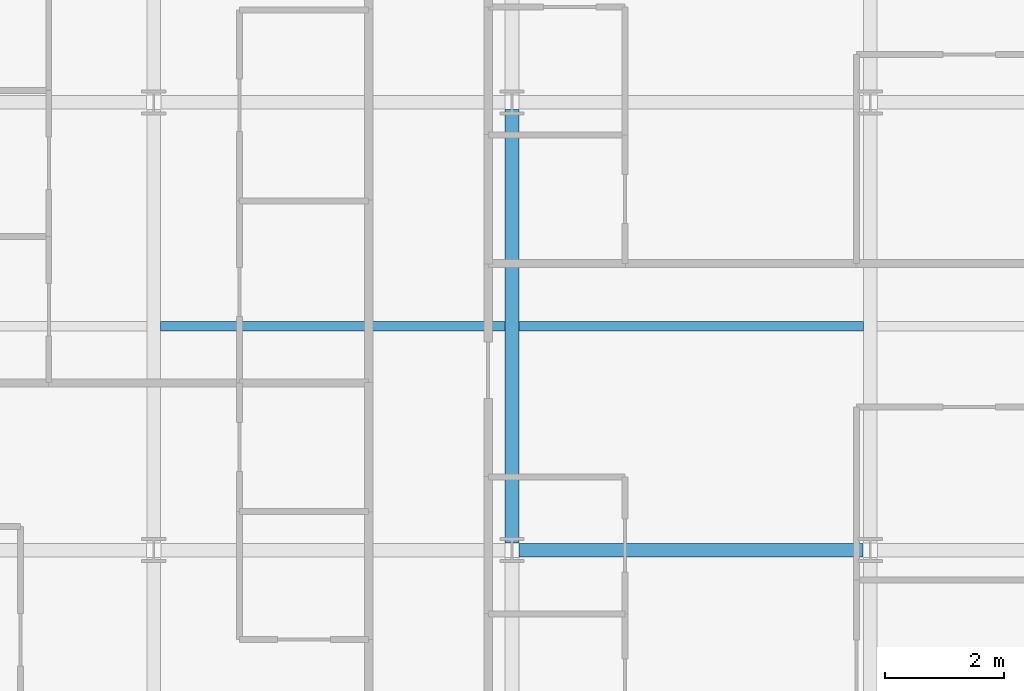
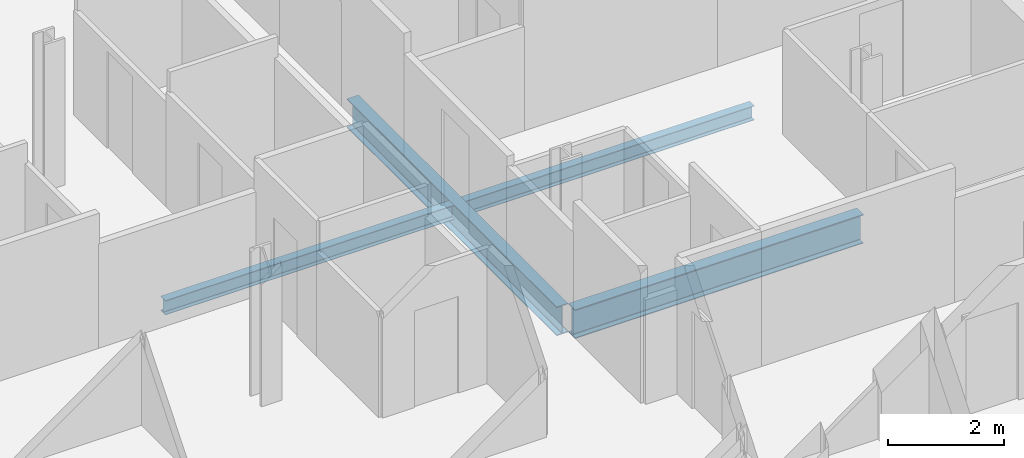
# One storey, part 6 of 40: 4 beams.
"""IFC4 building model written with IfcOpenShell, lengths in metres."""

import ifcopenshell
import ifcopenshell.guid

model = None  # the IFC model being written
_history = None  # IfcOwnerHistory: only IFC2X3 demands one
_inside = {}  # id of a spatial element -> (the spatial element, [elements in it])
_under = {}  # id of a project, library or spatial element -> (it, [spatial elements below it])
_declared = {}  # id of a project -> (the project, [libraries it declares])
_typed = {}  # id of a type object -> (the type object, [elements of that type])
_made_of = {}  # id of a material, layer set ... -> (it, [elements and type objects made of it])


def new_model(schema):
    """Start an empty IFC model of exactly this schema.

    Asked for "IFC4X3", IfcOpenShell would pick the latest addendum, in which some entities
    have other attributes; the version numbers below select the first issue.
    IFC2X3 requires an IfcOwnerHistory on every rooted entity: one is made here for all.
    """
    global model, _history
    if schema == "IFC4X3":
        model = ifcopenshell.file(schema_version=(4, 3, 0, 0))
    else:
        model = ifcopenshell.file(schema=schema)
    _inside.clear()
    _under.clear()
    _declared.clear()
    _typed.clear()
    _made_of.clear()
    _history = None
    if model.schema == "IFC2X3":
        org = make("IfcOrganization", Name="unknown")
        user = make(
            "IfcPersonAndOrganization",
            ThePerson=make("IfcPerson", FamilyName="unknown"),
            TheOrganization=org,
        )
        app = make(
            "IfcApplication",
            ApplicationDeveloper=org,
            Version="unknown",
            ApplicationFullName="unknown",
            ApplicationIdentifier="unknown",
        )
        _history = make(
            "IfcOwnerHistory",
            OwningUser=user,
            OwningApplication=app,
            ChangeAction="ADDED",
            CreationDate=0,
        )
    return model


def make(cls, **values):
    """One entity of the class cls with the attributes given. An attribute that is None is left unset."""
    return model.create_entity(
        cls, **{name: value for name, value in values.items() if value is not None}
    )


def rooted(cls, **values):
    """An entity with a GlobalId (a new one), such as an element, a storey or a relation."""
    return make(cls, GlobalId=ifcopenshell.guid.new(), OwnerHistory=_history, **values)


def si_unit(unit_type, name, prefix=None):
    """IfcSIUnit, for example si_unit("LENGTHUNIT", "METRE", prefix="MILLI")."""
    return make("IfcSIUnit", UnitType=unit_type, Prefix=prefix, Name=name)


def assignment(units):
    """IfcUnitAssignment: the units of a project."""
    return None if units is None else make("IfcUnitAssignment", Units=units)


def point(xyz):
    """IfcCartesianPoint."""
    return None if xyz is None else make("IfcCartesianPoint", Coordinates=xyz)


def direction(xyz):
    """IfcDirection."""
    return None if xyz is None else make("IfcDirection", DirectionRatios=xyz)


def frame(location, z_axis=None, x_axis=None):
    """IfcAxis2Placement3D, a coordinate frame: its origin and axes. An axis left out is left unset."""
    return make(
        "IfcAxis2Placement3D",
        Location=point(location),
        Axis=direction(z_axis),
        RefDirection=direction(x_axis),
    )


def frame_2d(location, x_axis=None):
    """IfcAxis2Placement2D, a coordinate frame in the plane: its origin and x axis."""
    return make(
        "IfcAxis2Placement2D", Location=point(location), RefDirection=direction(x_axis)
    )


def origin():
    """The frame at (0, 0, 0) with its axes left unset."""
    return frame((0.0, 0.0, 0.0))


def origin_2d():
    """The frame at (0, 0) in the plane with its x axis left unset."""
    return frame_2d((0.0, 0.0))


def place(relative_to, where):
    """IfcLocalPlacement: puts the frame where relative to a parent placement (None: the world)."""
    return make(
        "IfcLocalPlacement", PlacementRelTo=relative_to, RelativePlacement=where
    )


def context(
    kind, dimensions, precision=None, world=None, true_north=None, identifier=None
):
    """IfcGeometricRepresentationContext, for example the 3D "Model" context."""
    return make(
        "IfcGeometricRepresentationContext",
        ContextIdentifier=identifier,
        ContextType=kind,
        CoordinateSpaceDimension=dimensions,
        Precision=precision,
        WorldCoordinateSystem=world,
        TrueNorth=true_north,
    )


def subcontext(parent, identifier, kind, view, scale=None):
    """IfcGeometricRepresentationSubContext, for example "Body" below "Model"."""
    return make(
        "IfcGeometricRepresentationSubContext",
        ContextIdentifier=identifier,
        ContextType=kind,
        ParentContext=parent,
        TargetScale=scale,
        TargetView=view,
    )


def project(units=None, contexts=None):
    """IfcProject with its units and contexts."""
    return rooted(
        "IfcProject",
        Name="project",
        RepresentationContexts=contexts,
        UnitsInContext=assignment(units),
    )


def spatial(cls, under=None, at=None, **own):
    """A site, building, storey or space (cls), placed at a placement, below another one or the project."""
    s = rooted(cls, ObjectPlacement=at, **own)
    if under is not None:
        _under.setdefault(under.id(), (under, []))[1].append(s)
    return s


def profile(cls, at=None, kind="AREA", **sizes):
    """A parametric profile (cls). Its sizes go by their IFC names, for example OverallWidth=200.0."""
    return make(cls, ProfileType=kind, Position=at, **sizes)


def i_section(**sizes):
    """IfcIShapeProfileDef."""
    return profile("IfcIShapeProfileDef", **sizes)


def extrude(swept, where, along, depth):
    """IfcExtrudedAreaSolid: the profile swept, set in the frame where, extruded along a direction by depth."""
    return make(
        "IfcExtrudedAreaSolid",
        SweptArea=swept,
        Position=where,
        ExtrudedDirection=direction(along),
        Depth=depth,
    )


def shape(context_of_items, identifier, shape_type, items):
    """IfcShapeRepresentation: the items that make up one representation, for example the "Body"."""
    return make(
        "IfcShapeRepresentation",
        ContextOfItems=context_of_items,
        RepresentationIdentifier=identifier,
        RepresentationType=shape_type,
        Items=items,
    )


def material(Name=None, Category=None):
    """IfcMaterial."""
    return make("IfcMaterial", Name=Name, Category=Category)


def material_profile(
    of_material, cross_section, Name=None, Category=None, Priority=None
):
    """IfcMaterialProfile: a cross section and its material."""
    return make(
        "IfcMaterialProfile",
        Name=Name,
        Material=of_material,
        Profile=cross_section,
        Priority=Priority,
        Category=Category,
    )


def profile_set(profiles, Name=None, composite=None):
    """IfcMaterialProfileSet."""
    return make(
        "IfcMaterialProfileSet",
        Name=Name,
        MaterialProfiles=profiles,
        CompositeProfile=composite,
    )


def made_of(thing, what):
    """Note that an element or type object is made of a material, layer set ...; save() writes the relation."""
    if what is not None:
        _made_of.setdefault(what.id(), (what, []))[1].append(thing)
    return thing


def type_object(cls, material=None, **own):
    """A type object (cls), such as IfcWallType, which elements share."""
    return made_of(rooted(cls, **own), material)


def element(
    cls,
    number,
    at=None,
    inside=None,
    cuts=None,
    type_object=None,
    material=None,
    context=None,
    identifier="Body",
    shape_type=None,
    held_by="IfcProductDefinitionShape",
    body=None,
    shapes=None,
    **own,
):
    """One element of the class cls, such as IfcWall. Its Tag is "e" and its number.

    at: its placement. inside: the storey or other place that contains it. cuts: it is an
    opening in that element (IfcRelVoidsElement). A single representation is given by context,
    identifier, shape_type and body (its items); several are given by shapes. held_by: the class
    of the entity that holds the representations. save() writes the other relations.
    """
    e = rooted(cls, Tag="e%d" % number, ObjectPlacement=at, **own)
    if body is not None:
        shapes = [shape(context, identifier, shape_type, body)]
    if shapes is not None:
        e.Representation = make(held_by, Representations=shapes)
    if inside is not None:
        _inside.setdefault(inside.id(), (inside, []))[1].append(e)
    if cuts is not None:
        rooted(
            "IfcRelVoidsElement", RelatingBuildingElement=cuts, RelatedOpeningElement=e
        )
    if type_object is not None:
        _typed.setdefault(type_object.id(), (type_object, []))[1].append(e)
    return made_of(e, material)


def aggregate(whole, parts):
    """IfcRelAggregates: a whole, such as a stair, and the parts it consists of."""
    return rooted("IfcRelAggregates", RelatingObject=whole, RelatedObjects=parts)


def save(model, path):
    """Write the relations noted so far, then the file.

    IfcRelAggregates (storeys below a building ...), IfcRelContainedInSpatialStructure (elements
    in a storey), IfcRelDefinesByType, IfcRelAssociatesMaterial and IfcRelDeclares: one each for
    every whole, place, type object, material and project.
    """
    for whole, parts in _under.values():
        aggregate(whole, parts)
    for where, things in _inside.values():
        rooted(
            "IfcRelContainedInSpatialStructure",
            RelatedElements=things,
            RelatingStructure=where,
        )
    for kind, things in _typed.values():
        rooted("IfcRelDefinesByType", RelatedObjects=things, RelatingType=kind)
    for what, things in _made_of.values():
        rooted("IfcRelAssociatesMaterial", RelatedObjects=things, RelatingMaterial=what)
    for by, libraries in _declared.values():
        rooted("IfcRelDeclares", RelatingContext=by, RelatedDefinitions=libraries)
    model.write(path)


model = new_model("IFC4")

# Units and contexts
model_context = context("Model", 3, precision=1e-05, world=origin(), true_north=direction((0.0, 1.0)))
body_context = subcontext(model_context, "Body", "Model", "MODEL_VIEW")
ifc_project = project(units=[si_unit("LENGTHUNIT", "METRE"), si_unit("AREAUNIT", "SQUARE_METRE"), si_unit("VOLUMEUNIT", "CUBIC_METRE"), si_unit("PLANEANGLEUNIT", "RADIAN"), si_unit("MASSUNIT", "GRAM", prefix="KILO")], contexts=[model_context])

# Site, building, storey
site_placement = place(None, origin())
site = spatial("IfcSite", under=ifc_project, at=site_placement, CompositionType="ELEMENT")
building_placement = place(site_placement, origin())
building = spatial("IfcBuilding", under=site, at=building_placement, Name="Brevholm Reach", CompositionType="ELEMENT")
storey_placement = place(building_placement, frame((0.0, 0.0, 131.39990234375)))
storey = spatial("IfcBuildingStorey", under=building, at=storey_placement, Name="L39", CompositionType="ELEMENT", Elevation=131.39990234375)

# Beams
ifc_material_1 = material(Name="Structural Steel S355J2", Category="steel")
ifc_material_profile_1 = material_profile(ifc_material_1, i_section(OverallWidth=0.1650390625, OverallDepth=0.303466796875, WebThickness=0.006103515625, FlangeThickness=0.01025390625, FilletRadius=0.0087890625, at=origin_2d()), Name="UKB 305x165x40")
ifc_profile_set_1 = profile_set([ifc_material_profile_1], Name="Structural Steel S355J2")
beam_type_1 = type_object("IfcBeamType", Name="BM-B305", PredefinedType="BEAM", material=ifc_profile_set_1)
for number, where, z_axis, x_axis, name in (
    (1, (6.114501953125, 19.75, -0.37158203125), (1.0, 0.0, 0.0), (0.0, 1.0, 0.0), "L39 Composite Secondary Floor Beam"),
    (2, (12.114501953125, 19.75, -0.37158203125), (1.0, 0.0, 0.0), (0.0, 1.0, 0.0), "L39 Composite Secondary Floor Beam"),
):
    element("IfcBeam", number, at=place(storey_placement, frame(where, z_axis=z_axis, x_axis=x_axis)), inside=storey, type_object=beam_type_1, Name=name, PredefinedType="BEAM", context=body_context, shape_type="SweptSolid", body=[
        extrude(i_section(OverallWidth=0.1650390625, OverallDepth=0.303466796875, WebThickness=0.006103515625, FlangeThickness=0.01025390625, FilletRadius=0.0087890625, at=origin_2d()), origin(), (0.0, 0.0, 1.0), 5.77099609375),
    ])
ifc_material_2 = material(Name="Structural Steel S355J2", Category="steel")
ifc_material_profile_2 = material_profile(ifc_material_2, i_section(OverallWidth=0.22900390625, OverallDepth=0.6123046875, WebThickness=0.011962890625, FlangeThickness=0.01953125, FilletRadius=0.0126953125, at=origin_2d()), Name="UKB 610x229x125")
ifc_profile_set_2 = profile_set([ifc_material_profile_2], Name="Structural Steel S355J2")
beam_type_2 = type_object("IfcBeamType", Name="BM-SP610", PredefinedType="SPANDREL", material=ifc_profile_set_2)
beam_1_placement = place(storey_placement, frame((12.1201171875, 16.0, -0.526123046875), z_axis=(1.0, 0.0, 0.0), x_axis=(0.0, 1.0, 0.0)))
element("IfcBeam", 3, at=beam_1_placement, inside=storey, type_object=beam_type_2, Name="L39 SP-01 Framing Beam", PredefinedType="SPANDREL", context=body_context, shape_type="SweptSolid", body=[
    extrude(i_section(OverallWidth=0.22900390625, OverallDepth=0.6123046875, WebThickness=0.011962890625, FlangeThickness=0.01953125, FilletRadius=0.0126953125, at=origin_2d()), origin(), (0.0, 0.0, 1.0), 5.759765625),
])
beam_2_placement = place(storey_placement, frame((12.0, 16.1201171875, -0.526123046875), z_axis=(0.0, 1.0, 0.0), x_axis=(-1.0, 0.0, 0.0)))
element("IfcBeam", 4, at=beam_2_placement, inside=storey, type_object=beam_type_2, Name="L39 SP-01 Framing Beam", PredefinedType="SPANDREL", context=body_context, shape_type="SweptSolid", body=[
    extrude(i_section(OverallWidth=0.22900390625, OverallDepth=0.6123046875, WebThickness=0.011962890625, FlangeThickness=0.01953125, FilletRadius=0.0126953125, at=origin_2d()), origin(), (0.0, 0.0, 1.0), 7.259765625),
])

save(model, "model.ifc")
